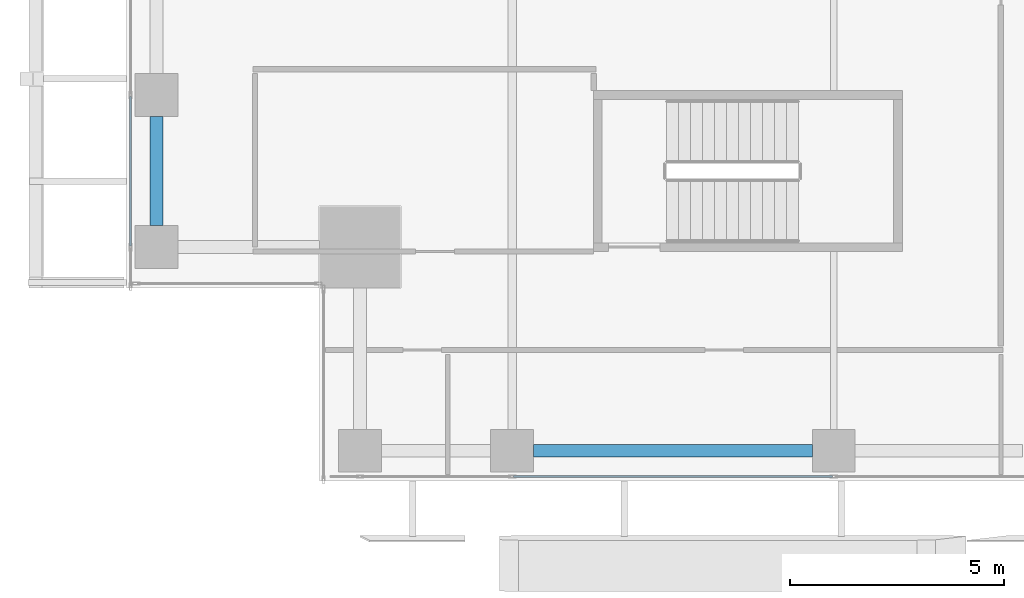
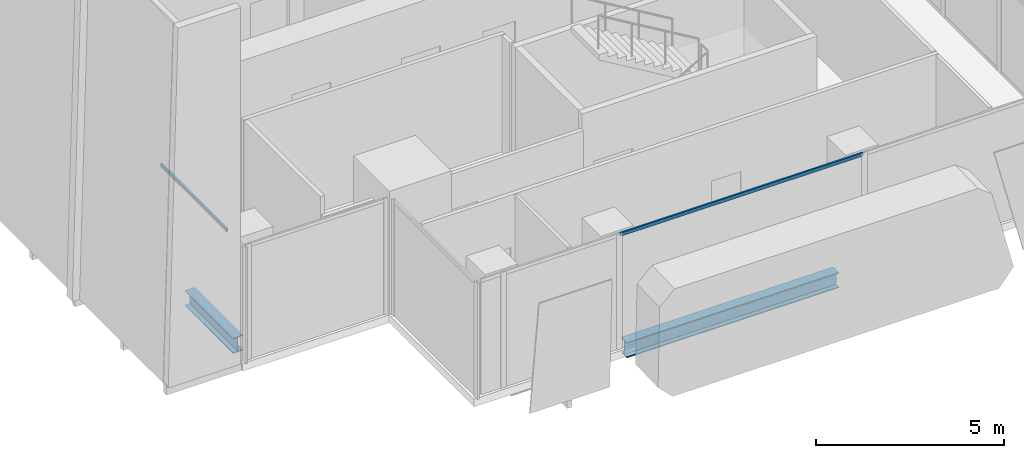
# One storey, part 3 of 40: 2 beams, 2 members, 2 elements without a shape of their own.
"""IFC4 building model written with IfcOpenShell, lengths in metres."""

from ifc_helpers import new_model, si_unit, direction, frame, origin, origin_2d, place, context, subcontext, project, spatial, hollow_rectangle, i_section, extrude, source, transform, mapped, material, material_profile, profile_set, type_object, element, aggregate, save


model = new_model("IFC4")

# Units and contexts
model_context = context("Model", 3, precision=1e-05, world=origin(), true_north=direction((0.0, 1.0)))
body_context = subcontext(model_context, "Body", "Model", "MODEL_VIEW")
ifc_project = project(units=[si_unit("LENGTHUNIT", "METRE"), si_unit("AREAUNIT", "SQUARE_METRE"), si_unit("VOLUMEUNIT", "CUBIC_METRE"), si_unit("PLANEANGLEUNIT", "RADIAN"), si_unit("MASSUNIT", "GRAM", prefix="KILO")], contexts=[model_context])

# Site, building, storey
site_placement = place(None, origin())
site = spatial("IfcSite", under=ifc_project, at=site_placement, CompositionType="ELEMENT")
building_placement = place(site_placement, origin())
building = spatial("IfcBuilding", under=site, at=building_placement, Name="Khomas Fold Tower", CompositionType="ELEMENT")
storey_placement = place(building_placement, frame((0.0, 0.0, 176.699951171875)))
storey = spatial("IfcBuildingStorey", under=building, at=storey_placement, Name="L38", CompositionType="ELEMENT", Elevation=176.699951171875)

# Beams
ifc_material_1 = material(Name="Steel S355", Category="steel")
ifc_material_profile_1 = material_profile(ifc_material_1, i_section(OverallWidth=0.300048828125, OverallDepth=0.5, WebThickness=0.014404296875, FlangeThickness=0.028076171875, at=origin_2d()), Name="HE 500 B")
ifc_profile_set_1 = profile_set([ifc_material_profile_1], Name="Steel S355")
beam_type = type_object("IfcBeamType", Name="HE 500 B spandrel SB3", PredefinedType="SPANDREL", material=ifc_profile_set_1)
shared_shape_1 = source(origin(), body_context, "Body", "SweptSolid", [
    extrude(i_section(OverallWidth=0.300048828125, OverallDepth=0.5, WebThickness=0.014404296875, FlangeThickness=0.028076171875, at=origin_2d()), origin(), (0.0, 0.0, 1.0), 2.550048828125),
])
beam_1_placement = place(storey_placement, frame((3.699951171875, 8.949951171875, -0.5), z_axis=(0.0, 1.0, 0.0), x_axis=(-1.0, 0.0, 0.0)))
element("IfcBeam", 1, at=beam_1_placement, inside=storey, type_object=beam_type, Name="SB3", PredefinedType="SPANDREL", context=body_context, shape_type="MappedRepresentation", body=[
    mapped(shared_shape_1, transform((0.0, 0.0, 0.0))),
])
shared_shape_2 = source(origin(), body_context, "Body", "SweptSolid", [
    extrude(i_section(OverallWidth=0.300048828125, OverallDepth=0.5, WebThickness=0.014404296875, FlangeThickness=0.028076171875, at=origin_2d()), origin(), (0.0, 0.0, 1.0), 6.5),
])
beam_2_placement = place(storey_placement, frame((12.5, 3.699951171875, -0.5), z_axis=(1.0, 0.0, 0.0), x_axis=(0.0, 1.0, 0.0)))
element("IfcBeam", 2, at=beam_2_placement, inside=storey, type_object=beam_type, Name="SB3", PredefinedType="SPANDREL", context=body_context, shape_type="MappedRepresentation", body=[
    mapped(shared_shape_2, transform((0.0, 0.0, 0.0))),
])

# Curtain wall, member
ifc_material_2 = material(Name="Aluminium framed double glazing", Category="aluminium")
curtain_wall_type = type_object("IfcCurtainWallType", Name="SK-Unitised clear-glass wall, office floors CW2", PredefinedType="NOTDEFINED", material=ifc_material_2)
curtain_wall_1_placement = place(storey_placement, origin())
curtain_wall_1 = element("IfcCurtainWall", 3, at=curtain_wall_1_placement, inside=storey, type_object=curtain_wall_type, Name="CW2 run L38 18-0", PredefinedType="NOTDEFINED")
ifc_material_3 = material(Name="Aluminium", Category="aluminium")
ifc_material_profile_2 = material_profile(ifc_material_3, hollow_rectangle(XDim=0.050048828125, YDim=0.110107421875, WallThickness=0.00390625, at=origin_2d()), Name="SK-Unitised clear-glass wall, office floors transom CW2-T")
ifc_profile_set_2 = profile_set([ifc_material_profile_2], Name="Aluminium")
member_type = type_object("IfcMemberType", Name="SK-Unitised clear-glass wall, office floors transom CW2-T", PredefinedType="USERDEFINED", material=ifc_profile_set_2)
shared_shape_3 = source(origin(), body_context, "Body", "SweptSolid", [
    extrude(hollow_rectangle(XDim=0.050048828125, YDim=0.110107421875, WallThickness=0.00390625, at=origin_2d()), origin(), (0.0, 0.0, 1.0), 3.489990234375),
])
member_1_placement = place(storey_placement, frame((3.10009765625, 11.969970703125, 3.695068359375), z_axis=(0.0, -1.0, 0.0), x_axis=(1.0, 0.0, 0.0)))
member_1 = element("IfcMember", 4, at=member_1_placement, type_object=member_type, Name="CW2 transom 7", ObjectType="TRANSOM", PredefinedType="USERDEFINED", context=body_context, shape_type="MappedRepresentation", body=[
    mapped(shared_shape_3, transform((0.0, 0.0, 0.0))),
])
aggregate(curtain_wall_1, [member_1])

curtain_wall_2_placement = place(storey_placement, origin())
curtain_wall_2 = element("IfcCurtainWall", 5, at=curtain_wall_2_placement, inside=storey, type_object=curtain_wall_type, Name="CW2 run L38 01-0", PredefinedType="NOTDEFINED")
shared_shape_4 = source(origin(), body_context, "Body", "SweptSolid", [
    extrude(hollow_rectangle(XDim=0.050048828125, YDim=0.110107421875, WallThickness=0.00390625, at=origin_2d()), origin(), (0.0, 0.0, 1.0), 7.43994140625),
])
member_2_placement = place(storey_placement, frame((12.030029296875, 3.10009765625, 3.695068359375), z_axis=(1.0, 0.0, 0.0), x_axis=(0.0, 1.0, 0.0)))
member_2 = element("IfcMember", 6, at=member_2_placement, type_object=member_type, Name="CW2 transom 3", ObjectType="TRANSOM", PredefinedType="USERDEFINED", context=body_context, shape_type="MappedRepresentation", body=[
    mapped(shared_shape_4, transform((0.0, 0.0, 0.0))),
])
aggregate(curtain_wall_2, [member_2])

save(model, "model.ifc")
